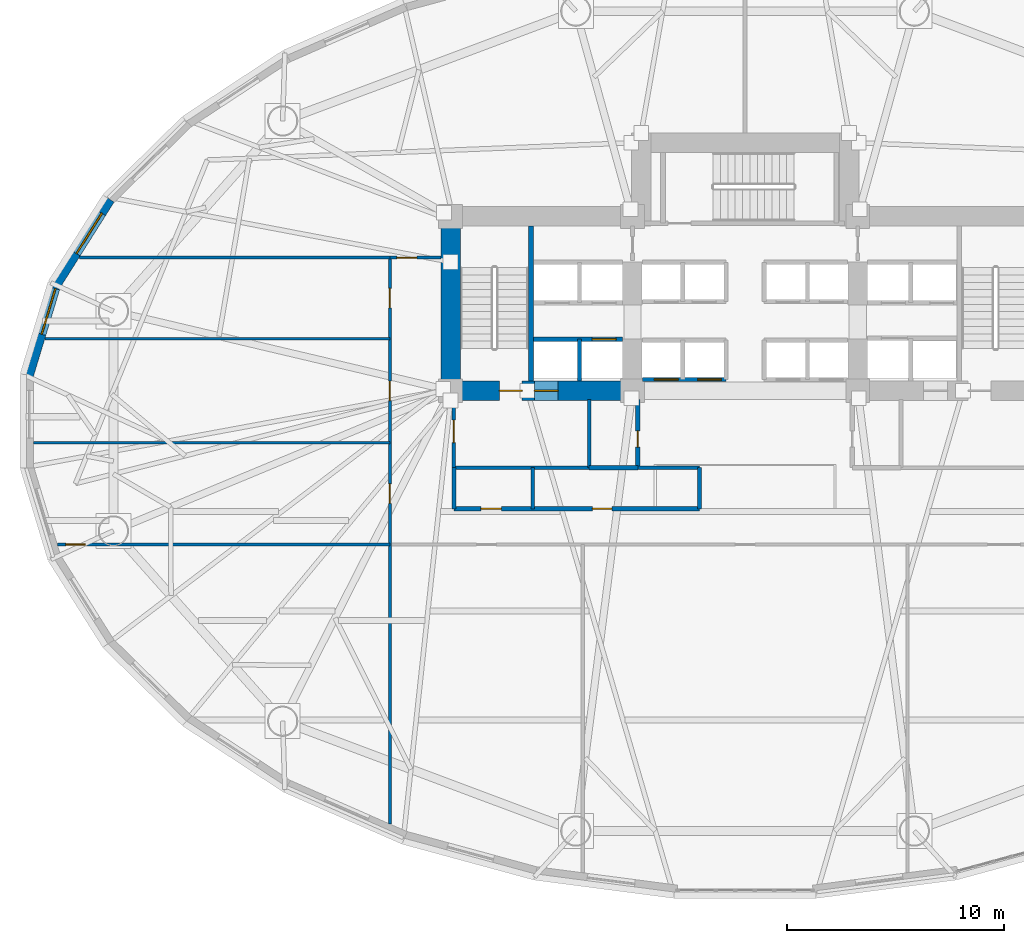
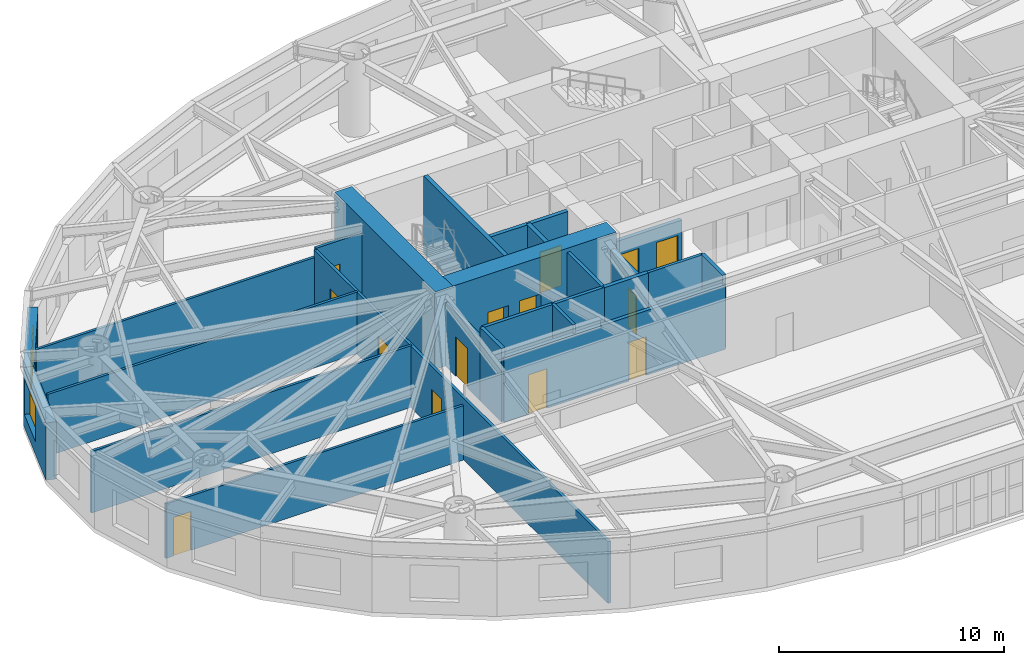
# One storey, part 9 of 18: 24 walls, 14 doors, 2 windows, 16 openings.
"""IFC4 building model written with IfcOpenShell, lengths in metres."""

from ifc_helpers import new_model, si_unit, direction, frame, frame_2d, origin, place, context, subcontext, project, spatial, rectangle, extrude, material, layer, layer_set, type_object, element, fill, save


model = new_model("IFC4")

# Units and contexts
model_context = context("Model", 3, precision=1e-05, world=origin(), true_north=direction((0.0, 1.0)))
body_context = subcontext(model_context, "Body", "Model", "MODEL_VIEW")
ifc_project = project(units=[si_unit("LENGTHUNIT", "METRE"), si_unit("AREAUNIT", "SQUARE_METRE"), si_unit("VOLUMEUNIT", "CUBIC_METRE"), si_unit("PLANEANGLEUNIT", "RADIAN"), si_unit("MASSUNIT", "GRAM", prefix="KILO")], contexts=[model_context])

# Site, building, storey
site_placement = place(None, origin())
site = spatial("IfcSite", under=ifc_project, at=site_placement, CompositionType="ELEMENT")
building_placement = place(site_placement, origin())
building = spatial("IfcBuilding", under=site, at=building_placement, Name="Keldmark Tower", CompositionType="ELEMENT")
storey_placement = place(building_placement, frame((0.0, 0.0, 6.0)))
storey = spatial("IfcBuildingStorey", under=building, at=storey_placement, Name="L01", CompositionType="ELEMENT", Elevation=6.0)

# Wall, openings, doors
ifc_material_1 = material(Name="Acoustic Double-Layer Gypsum Corridor Partition", Category="gypsum")
ifc_layer_1 = layer(ifc_material_1, 0.139892578125)
ifc_layer_set_1 = layer_set([ifc_layer_1], Name="Acoustic Double-Layer Gypsum Corridor Partition")
wall_type_1 = type_object("IfcWallType", Name="Acoustic Corridor Partition 140 mm", PredefinedType="PARTITIONING", material=ifc_layer_set_1)
wall_1_placement = place(storey_placement, frame((-16.39990234375, -18.6025390625, 0.0), z_axis=(0.0, 0.0, 1.0), x_axis=(0.0, 1.0, 0.0)))
wall_1 = element("IfcWall", 1, at=wall_1_placement, inside=storey, type_object=wall_type_1, Name="L01 Acoustic Corridor Partition 140 mm COR-W", PredefinedType="PARTITIONING", context=body_context, shape_type="SweptSolid", body=[
    extrude(rectangle(XDim=26.152587890625, YDim=0.139892578125, at=frame_2d((13.076171875, 0.0))), origin(), (0.0, 0.0, 1.0), 3.347900390625),
])
opening_1_placement = place(wall_1_placement, frame((14.80224609375, 0.0, 0.0)))
opening_1 = element("IfcOpeningElement", 2, at=opening_1_placement, cuts=wall_1, Name="Opening D-IN090", PredefinedType="OPENING", context=body_context, shape_type="SweptSolid", body=[
    extrude(rectangle(XDim=0.89990234375, YDim=2.10009765625, at=frame_2d((0.449951171875, 1.050048828125))), frame((0.0, 0.079833984375, 0.0), z_axis=(0.0, -1.0, 0.0), x_axis=(1.0, 0.0, 0.0)), (0.0, 0.0, 1.0), 0.159912109375),
])
opening_2_placement = place(wall_1_placement, frame((19.55224609375, 0.0, 0.0)))
opening_2 = element("IfcOpeningElement", 3, at=opening_2_placement, cuts=wall_1, Name="Opening D-IN090", PredefinedType="OPENING", context=body_context, shape_type="SweptSolid", body=[
    extrude(rectangle(XDim=0.89990234375, YDim=2.10009765625, at=frame_2d((0.449951171875, 1.050048828125))), frame((0.0, 0.079833984375, 0.0), z_axis=(0.0, -1.0, 0.0), x_axis=(1.0, 0.0, 0.0)), (0.0, 0.0, 1.0), 0.159912109375),
])
opening_3_placement = place(wall_1_placement, frame((23.827392578125, 0.0, 0.0)))
opening_3 = element("IfcOpeningElement", 4, at=opening_3_placement, cuts=wall_1, Name="Opening D-IN090", PredefinedType="OPENING", context=body_context, shape_type="SweptSolid", body=[
    extrude(rectangle(XDim=0.89990234375, YDim=2.10009765625, at=frame_2d((0.449951171875, 1.050048828125))), frame((0.0, 0.079833984375, 0.0), z_axis=(0.0, -1.0, 0.0), x_axis=(1.0, 0.0, 0.0)), (0.0, 0.0, 1.0), 0.159912109375),
])
ifc_material_2 = material(Name="Stained American White Oak Veneer", Category="wood")
door_type_1 = type_object("IfcDoorType", Name="Interior Door 900x2100", OperationType="NOTDEFINED", PredefinedType="DOOR", material=ifc_material_2)
door_1_placement = place(opening_1_placement, origin())
door_1 = element("IfcDoor", 5, at=door_1_placement, inside=storey, type_object=door_type_1, Name="L01 Interior Door 900x2100 D-WR-1-L01", OperationType="SINGLE_SWING_LEFT", OverallHeight=2.10009765625, OverallWidth=0.89990234375, PredefinedType="DOOR", context=body_context, shape_type="SweptSolid", body=[
    extrude(rectangle(XDim=0.89990234375, YDim=2.10009765625, at=frame_2d((0.449951171875, 1.050048828125))), frame((0.0, 0.02490234375, 0.0), z_axis=(0.0, -1.0, 0.0), x_axis=(1.0, 0.0, 0.0)), (0.0, 0.0, 1.0), 0.050048828125),
])
fill(opening_1, door_1)
door_2_placement = place(opening_2_placement, origin())
door_2 = element("IfcDoor", 6, at=door_2_placement, inside=storey, type_object=door_type_1, Name="L01 Interior Door 900x2100 D-WR-2-L01", OperationType="SINGLE_SWING_RIGHT", OverallHeight=2.10009765625, OverallWidth=0.89990234375, PredefinedType="DOOR", context=body_context, shape_type="SweptSolid", body=[
    extrude(rectangle(XDim=0.89990234375, YDim=2.10009765625, at=frame_2d((0.449951171875, 1.050048828125))), frame((0.0, 0.02490234375, 0.0), z_axis=(0.0, -1.0, 0.0), x_axis=(1.0, 0.0, 0.0)), (0.0, 0.0, 1.0), 0.050048828125),
])
fill(opening_2, door_2)
door_3_placement = place(opening_3_placement, origin())
door_3 = element("IfcDoor", 7, at=door_3_placement, inside=storey, type_object=door_type_1, Name="L01 Interior Door 900x2100 D-WR-3-L01", OperationType="SINGLE_SWING_LEFT", OverallHeight=2.10009765625, OverallWidth=0.89990234375, PredefinedType="DOOR", context=body_context, shape_type="SweptSolid", body=[
    extrude(rectangle(XDim=0.89990234375, YDim=2.10009765625, at=frame_2d((0.449951171875, 1.050048828125))), frame((0.0, 0.02490234375, 0.0), z_axis=(0.0, -1.0, 0.0), x_axis=(1.0, 0.0, 0.0)), (0.0, 0.0, 1.0), 0.050048828125),
])
fill(opening_3, door_3)

# Wall, opening, door
wall_2_placement = place(storey_placement, frame((-16.39990234375, 7.550048828125, 0.0), z_axis=(0.0, 0.0, 1.0), x_axis=(1.0, 0.0, 0.0)))
wall_2 = element("IfcWall", 8, at=wall_2_placement, inside=storey, type_object=wall_type_1, Name="L01 Acoustic Corridor Partition 140 mm COR-WN-CAP", PredefinedType="PARTITIONING", context=body_context, shape_type="SweptSolid", body=[
    extrude(rectangle(XDim=2.349853515625, YDim=0.139892578125, at=frame_2d((1.1748046875, 0.0))), origin(), (0.0, 0.0, 1.0), 3.43310546875),
])
opening_4_placement = place(wall_2_placement, frame((0.320068359375, 0.0, 0.0)))
opening_4 = element("IfcOpeningElement", 9, at=opening_4_placement, cuts=wall_2, Name="Opening D-EX092", PredefinedType="OPENING", context=body_context, shape_type="SweptSolid", body=[
    extrude(rectangle(XDim=0.919921875, YDim=2.14990234375, at=frame_2d((0.4599609375, 1.074951171875))), frame((0.0, 0.079833984375, 0.0), z_axis=(0.0, -1.0, 0.0), x_axis=(1.0, 0.0, 0.0)), (0.0, 0.0, 1.0), 0.159912109375),
])
ifc_material_3 = material(Name="Flush American Ash Executive Office Door", Category="wood")
door_type_2 = type_object("IfcDoorType", Name="Executive Office Door 920x2150", OperationType="NOTDEFINED", PredefinedType="DOOR", material=ifc_material_3)
door_4_placement = place(opening_4_placement, origin())
door_4 = element("IfcDoor", 10, at=door_4_placement, inside=storey, type_object=door_type_2, Name="L01 Executive Office Door 920x2150 D-NRNW-L01", OperationType="SINGLE_SWING_LEFT", OverallHeight=2.14990234375, OverallWidth=0.919921875, PredefinedType="DOOR", context=body_context, shape_type="SweptSolid", body=[
    extrude(rectangle(XDim=0.919921875, YDim=2.14990234375, at=frame_2d((0.4599609375, 1.074951171875))), frame((0.0, 0.02490234375, 0.0), z_axis=(0.0, -1.0, 0.0), x_axis=(1.0, 0.0, 0.0)), (0.0, 0.0, 1.0), 0.050048828125),
])
fill(opening_4, door_4)

# Wall, openings, doors
ifc_material_4 = material(Name="Heavy Acoustic Plumbing Chase Gypsum Assembly", Category="gypsum")
ifc_layer_2 = layer(ifc_material_4, 0.18994140625)
ifc_layer_set_2 = layer_set([ifc_layer_2], Name="Heavy Acoustic Plumbing Chase Gypsum Assembly")
wall_type_2 = type_object("IfcWallType", Name="Heavy Wet Wall 190 mm", PredefinedType="PLUMBINGWALL", material=ifc_layer_set_2)
wall_3_placement = place(storey_placement, frame((-13.449951171875, -4.050048828125, 0.0), z_axis=(0.0, 0.0, 1.0), x_axis=(1.0, 0.0, 0.0)))
wall_3 = element("IfcWall", 11, at=wall_3_placement, inside=storey, type_object=wall_type_2, Name="L01 Heavy Wet Wall 190 mm SPK-W-S", PredefinedType="PLUMBINGWALL", context=body_context, shape_type="SweptSolid", body=[
    extrude(rectangle(XDim=11.349853515625, YDim=0.18994140625, at=frame_2d((5.6748046875, 0.0))), origin(), (0.0, 0.0, 1.0), 3.507080078125),
])
opening_5_placement = place(wall_3_placement, frame((1.25, 0.0, 0.0)))
opening_5 = element("IfcOpeningElement", 12, at=opening_5_placement, cuts=wall_3, Name="Opening D-AWC95", PredefinedType="OPENING", context=body_context, shape_type="SweptSolid", body=[
    extrude(rectangle(XDim=0.949951171875, YDim=2.14990234375, at=frame_2d((0.47509765625, 1.074951171875))), frame((0.0, 0.10498046875, 0.0), z_axis=(0.0, -1.0, 0.0), x_axis=(1.0, 0.0, 0.0)), (0.0, 0.0, 1.0), 0.2099609375),
])
opening_6_placement = place(wall_3_placement, frame((6.39990234375, 0.0, 0.0)))
opening_6 = element("IfcOpeningElement", 13, at=opening_6_placement, cuts=wall_3, Name="Opening D-IN090", PredefinedType="OPENING", context=body_context, shape_type="SweptSolid", body=[
    extrude(rectangle(XDim=0.89990234375, YDim=2.10009765625, at=frame_2d((0.449951171875, 1.050048828125))), frame((0.0, 0.10498046875, 0.0), z_axis=(0.0, -1.0, 0.0), x_axis=(1.0, 0.0, 0.0)), (0.0, 0.0, 1.0), 0.2099609375),
])
ifc_material_5 = material(Name="Painted Solid-Core Architectural Wood", Category="wood")
door_type_3 = type_object("IfcDoorType", Name="Accessible WC Door 950x2150", OperationType="NOTDEFINED", PredefinedType="DOOR", material=ifc_material_5)
door_5_placement = place(opening_5_placement, origin())
door_5 = element("IfcDoor", 14, at=door_5_placement, inside=storey, type_object=door_type_3, Name="L01 Accessible WC Door 950x2150 D-SPKW1-L01", OperationType="SINGLE_SWING_LEFT", OverallHeight=2.14990234375, OverallWidth=0.949951171875, PredefinedType="DOOR", context=body_context, shape_type="SweptSolid", body=[
    extrude(rectangle(XDim=0.949951171875, YDim=2.14990234375, at=frame_2d((0.47509765625, 1.074951171875))), frame((0.0, 0.02490234375, 0.0), z_axis=(0.0, -1.0, 0.0), x_axis=(1.0, 0.0, 0.0)), (0.0, 0.0, 1.0), 0.050048828125),
])
fill(opening_5, door_5)
door_6_placement = place(opening_6_placement, origin())
door_6 = element("IfcDoor", 15, at=door_6_placement, inside=storey, type_object=door_type_1, Name="L01 Interior Door 900x2100 D-SPKW2-L01", OperationType="SINGLE_SWING_RIGHT", OverallHeight=2.10009765625, OverallWidth=0.89990234375, PredefinedType="DOOR", context=body_context, shape_type="SweptSolid", body=[
    extrude(rectangle(XDim=0.89990234375, YDim=2.10009765625, at=frame_2d((0.449951171875, 1.050048828125))), frame((0.0, 0.02490234375, 0.0), z_axis=(0.0, -1.0, 0.0), x_axis=(1.0, 0.0, 0.0)), (0.0, 0.0, 1.0), 0.050048828125),
])
fill(opening_6, door_6)

# Walls
for number, where, z_axis, x_axis, name in (
    (16, (-13.449951171875, -4.050048828125, 0.0), (0.0, 0.0, 1.0), (0.0, 1.0, 0.0), "L01 Heavy Wet Wall 190 mm SPK-W-W"),
    (17, (-2.10009765625, -4.050048828125, 0.0), (0.0, 0.0, 1.0), (0.0, 1.0, 0.0), "L01 Heavy Wet Wall 190 mm SPK-W-E"),
):
    element("IfcWall", number, at=place(storey_placement, frame(where, z_axis=z_axis, x_axis=x_axis)), inside=storey, type_object=wall_type_2, Name=name, PredefinedType="PLUMBINGWALL", context=body_context, shape_type="SweptSolid", body=[
        extrude(rectangle(XDim=1.900146484375, YDim=0.18994140625, at=frame_2d((0.9501953125, 0.0))), origin(), (0.0, 0.0, 1.0), 3.97998046875),
    ])
ifc_material_6 = material(Name="Acoustic Gypsum Board Interior Partition", Category="gypsum")
ifc_layer_3 = layer(ifc_material_6, 0.1298828125)
ifc_layer_set_3 = layer_set([ifc_layer_3], Name="Acoustic Gypsum Board Interior Partition")
wall_type_3 = type_object("IfcWallType", Name="Interior Partition 130 mm", PredefinedType="PARTITIONING", material=ifc_layer_set_3)
wall_4_placement = place(storey_placement, frame((-30.74658203125, 7.550048828125, 0.0), z_axis=(0.0, 0.0, 1.0), x_axis=(1.0, 0.0, 0.0)))
element("IfcWall", 18, at=wall_4_placement, inside=storey, type_object=wall_type_3, Name="L01 Interior Partition 130 mm W-CAP-N", PredefinedType="PARTITIONING", context=body_context, shape_type="SweptSolid", body=[
    extrude(rectangle(XDim=14.3466796875, YDim=0.1298828125, at=frame_2d((7.17333984375, 0.0))), origin(), (0.0, 0.0, 1.0), 2.9580078125),
])

# Wall, opening, door
wall_5_placement = place(storey_placement, frame((-31.755615234375, -5.699951171875, 0.0), z_axis=(0.0, 0.0, 1.0), x_axis=(1.0, 0.0, 0.0)))
wall_5 = element("IfcWall", 19, at=wall_5_placement, inside=storey, type_object=wall_type_3, Name="L01 Interior Partition 130 mm W-CAP-S", PredefinedType="PARTITIONING", context=body_context, shape_type="SweptSolid", body=[
    extrude(rectangle(XDim=15.355712890625, YDim=0.1298828125, at=frame_2d((7.677734375, 0.0))), origin(), (0.0, 0.0, 1.0), 2.9580078125),
])
opening_7_placement = place(wall_5_placement, frame((0.389892578125, 0.0, 0.0)))
opening_7 = element("IfcOpeningElement", 20, at=opening_7_placement, cuts=wall_5, Name="Opening D-IN090", PredefinedType="OPENING", context=body_context, shape_type="SweptSolid", body=[
    extrude(rectangle(XDim=0.89990234375, YDim=2.10009765625, at=frame_2d((0.449951171875, 1.050048828125))), frame((0.0, 0.074951171875, 0.0), z_axis=(0.0, -1.0, 0.0), x_axis=(1.0, 0.0, 0.0)), (0.0, 0.0, 1.0), 0.14990234375),
])
door_7_placement = place(opening_7_placement, origin())
door_7 = element("IfcDoor", 21, at=door_7_placement, inside=storey, type_object=door_type_1, Name="L01 Interior Door 900x2100 D-WRSW-L01", OperationType="SINGLE_SWING_LEFT", OverallHeight=2.10009765625, OverallWidth=0.89990234375, PredefinedType="DOOR", context=body_context, shape_type="SweptSolid", body=[
    extrude(rectangle(XDim=0.89990234375, YDim=2.10009765625, at=frame_2d((0.449951171875, 1.050048828125))), frame((0.0, 0.02490234375, 0.0), z_axis=(0.0, -1.0, 0.0), x_axis=(1.0, 0.0, 0.0)), (0.0, 0.0, 1.0), 0.050048828125),
])
fill(opening_7, door_7)

# Walls
wall_6_placement = place(storey_placement, frame((-32.8505859375, -1.0, 0.0), z_axis=(0.0, 0.0, 1.0), x_axis=(1.0, 0.0, 0.0)))
element("IfcWall", 22, at=wall_6_placement, inside=storey, type_object=wall_type_3, Name="L01 Interior Partition 130 mm W-DIV-1", PredefinedType="PARTITIONING", context=body_context, shape_type="SweptSolid", body=[
    extrude(rectangle(XDim=16.45068359375, YDim=0.1298828125, at=frame_2d((8.225341796875, 0.0))), origin(), (0.0, 0.0, 1.0), 3.347900390625),
])
wall_7_placement = place(storey_placement, frame((-32.3310546875, 3.800048828125, 0.0), z_axis=(0.0, 0.0, 1.0), x_axis=(1.0, 0.0, 0.0)))
element("IfcWall", 23, at=wall_7_placement, inside=storey, type_object=wall_type_3, Name="L01 Interior Partition 130 mm W-DIV-2", PredefinedType="PARTITIONING", context=body_context, shape_type="SweptSolid", body=[
    extrude(rectangle(XDim=15.93115234375, YDim=0.1298828125, at=frame_2d((7.965576171875, 0.0))), origin(), (0.0, 0.0, 1.0), 3.347900390625),
])
ifc_material_7 = material(Name="Concrete C70/85", Category="concrete")
ifc_layer_4 = layer(ifc_material_7, 0.89990234375)
ifc_layer_set_4 = layer_set([ifc_layer_4], Name="Concrete C70/85")
wall_type_4 = type_object("IfcWallType", Name="Lower Core Shear Wall 900 mm", PredefinedType="SHEAR", material=ifc_layer_set_4)
wall_8_placement = place(storey_placement, frame((-13.60009765625, 0.949951171875, 0.0), z_axis=(0.0, 0.0, 1.0), x_axis=(0.0, 1.0, 0.0)))
element("IfcWall", 24, at=wall_8_placement, inside=storey, type_object=wall_type_4, Name="L01 West Core Outer Shear Wall", PredefinedType="SHEAR", context=body_context, shape_type="SweptSolid", body=[
    extrude(rectangle(XDim=8.949951171875, YDim=0.89990234375, at=frame_2d((4.47509765625, 0.0))), origin(), (0.0, 0.0, 1.0), 4.199951171875),
])

# Wall, openings, doors
wall_9_placement = place(storey_placement, frame((-4.75, 1.39990234375, 0.0), z_axis=(0.0, 0.0, 1.0), x_axis=(-1.0, 0.0, 0.0)))
wall_9 = element("IfcWall", 25, at=wall_9_placement, inside=storey, type_object=wall_type_4, Name="L01 West Core South Shear Wall", PredefinedType="SHEAR", context=body_context, shape_type="SweptSolid", body=[
    extrude(rectangle(XDim=9.300048828125, YDim=0.89990234375, at=frame_2d((4.64990234375, 0.0))), origin(), (0.0, 0.0, 1.0), 4.199951171875),
])
opening_8_placement = place(wall_9_placement, frame((5.550048828125, 0.0, 0.0)))
opening_8 = element("IfcOpeningElement", 26, at=opening_8_placement, cuts=wall_9, Name="Opening D-ST105", PredefinedType="OPENING", context=body_context, shape_type="SweptSolid", body=[
    extrude(rectangle(XDim=1.050048828125, YDim=2.14990234375, at=frame_2d((0.52490234375, 1.074951171875))), frame((0.0, 0.4599609375, 0.0), z_axis=(0.0, -1.0, 0.0), x_axis=(1.0, 0.0, 0.0)), (0.0, 0.0, 1.0), 0.919921875),
])
opening_9_placement = place(wall_9_placement, frame((3.8798828125, 0.0, 0.0)))
opening_9 = element("IfcOpeningElement", 27, at=opening_9_placement, cuts=wall_9, Name="Opening LD-110", PredefinedType="OPENING", context=body_context, shape_type="SweptSolid", body=[
    extrude(rectangle(XDim=1.10009765625, YDim=2.199951171875, at=frame_2d((0.550048828125, 1.10009765625))), frame((0.0, 0.4599609375, 0.0), z_axis=(0.0, -1.0, 0.0), x_axis=(1.0, 0.0, 0.0)), (0.0, 0.0, 1.0), 0.919921875),
])
ifc_material_8 = material(Name="Brushed Bronze Hoistway Sliding Leaf", Category="metal")
door_type_4 = type_object("IfcDoorType", Name="Lift Landing Sliding Door 1100x2200", OperationType="SLIDING_TO_LEFT", PredefinedType="DOOR", material=ifc_material_8)
door_8_placement = place(opening_9_placement, origin())
door_8 = element("IfcDoor", 28, at=door_8_placement, inside=storey, type_object=door_type_4, Name="L01 Lift Landing Sliding Door 1100x2200 LD-EL-FS1-L01", OperationType="SLIDING_TO_LEFT", OverallHeight=2.199951171875, OverallWidth=1.10009765625, PredefinedType="DOOR", context=body_context, shape_type="SweptSolid", body=[
    extrude(rectangle(XDim=1.10009765625, YDim=2.199951171875, at=frame_2d((0.550048828125, 1.10009765625))), frame((0.0, 0.02490234375, 0.0), z_axis=(0.0, -1.0, 0.0), x_axis=(1.0, 0.0, 0.0)), (0.0, 0.0, 1.0), 0.050048828125),
])
fill(opening_9, door_8)
ifc_material_9 = material(Name="Hollow Metal Fire-Rated Door Assembly", Category="metal")
door_type_5 = type_object("IfcDoorType", Name="Stair Fire Door 1050x2150", OperationType="NOTDEFINED", PredefinedType="DOOR", material=ifc_material_9)
door_9_placement = place(opening_8_placement, origin())
door_9 = element("IfcDoor", 29, at=door_9_placement, inside=storey, type_object=door_type_5, Name="L01 Stair Fire Door 1050x2150 D-ST1-L01", OperationType="SINGLE_SWING_RIGHT", OverallHeight=2.14990234375, OverallWidth=1.050048828125, PredefinedType="DOOR", context=body_context, shape_type="SweptSolid", body=[
    extrude(rectangle(XDim=1.050048828125, YDim=2.14990234375, at=frame_2d((0.52490234375, 1.074951171875))), frame((0.0, 0.02490234375, 0.0), z_axis=(0.0, -1.0, 0.0), x_axis=(1.0, 0.0, 0.0)), (0.0, 0.0, 1.0), 0.050048828125),
])
fill(opening_8, door_9)

# Wall, opening, window
ifc_material_10 = material(Name="Ironspot Manganese Brick and Kasota Buff Limestone Cavity Assembly", Category="masonry")
ifc_layer_5 = layer(ifc_material_10, 0.47998046875)
ifc_layer_set_5 = layer_set([ifc_layer_5], Name="Ironspot Manganese Brick and Kasota Buff Limestone Cavity Assembly")
wall_type_5 = type_object("IfcWallType", Name="Podium Brick and Limestone Cavity Wall 480 mm", PredefinedType="STANDARD", material=ifc_layer_set_5)
wall_10_placement = place(storey_placement, frame((-31.8544921875, 6.25830078125, 0.0), z_axis=(0.0, 0.0, 1.0), x_axis=(0.53349762721, 0.845801561693, 0.0)))
wall_10 = element("IfcWall", 30, at=wall_10_placement, inside=storey, type_object=wall_type_5, Name="L01 Exterior Brick and Spandrel Wall 14", PredefinedType="STANDARD", context=body_context, shape_type="SweptSolid", body=[
    extrude(rectangle(XDim=4.710693359375, YDim=0.47998046875, at=frame_2d((2.35546875, 0.0))), origin(), (0.0, 0.0, 1.0), 3.10888671875),
])
opening_10_placement = place(wall_10_placement, frame((1.770751953125, 0.0, 0.699951171875)))
opening_10 = element("IfcOpeningElement", 31, at=opening_10_placement, cuts=wall_10, Name="Opening W-01", PredefinedType="OPENING", context=body_context, shape_type="SweptSolid", body=[
    extrude(rectangle(XDim=2.199951171875, YDim=1.949951171875, at=frame_2d((1.10009765625, 0.97509765625))), frame((0.0, 0.25, 0.0), z_axis=(0.0, -1.0, 0.0), x_axis=(1.0, 0.0, 0.0)), (0.0, 0.0, 1.0), 0.5),
])
ifc_material_11 = material(Name="Thermally Broken Anodized Aluminum and Triple Low-E Argon Glazing", Category="aluminium")
window_type = type_object("IfcWindowType", Name="Podium Arched-Head Punched Window 2200x1950", PartitioningType="SINGLE_PANEL", PredefinedType="WINDOW", material=ifc_material_11)
window_1_placement = place(opening_10_placement, origin())
window_1 = element("IfcWindow", 32, at=window_1_placement, inside=storey, type_object=window_type, Name="L01 Deep-Set Window 14", OverallHeight=1.949951171875, OverallWidth=2.199951171875, PartitioningType="SINGLE_PANEL", PredefinedType="WINDOW", context=body_context, shape_type="SweptSolid", body=[
    extrude(rectangle(XDim=2.199951171875, YDim=1.949951171875, at=frame_2d((1.10009765625, 0.97509765625))), frame((0.0, -0.010009765625, 0.0), z_axis=(0.0, -1.0, 0.0), x_axis=(1.0, 0.0, 0.0)), (0.0, 0.0, 1.0), 0.06005859375),
])
fill(opening_10, window_1)

wall_11_placement = place(storey_placement, frame((-33.10888671875, 2.0869140625, 0.0), z_axis=(0.0, 0.0, 1.0), x_axis=(0.289855603468, 0.957070388811, 0.0)))
wall_11 = element("IfcWall", 33, at=wall_11_placement, inside=storey, type_object=wall_type_5, Name="L01 Exterior Brick and Spandrel Wall 15", PredefinedType="STANDARD", context=body_context, shape_type="SweptSolid", body=[
    extrude(rectangle(XDim=4.41943359375, YDim=0.47998046875, at=frame_2d((2.209716796875, 0.0))), origin(), (0.0, 0.0, 1.0), 3.10888671875),
])
opening_11_placement = place(wall_11_placement, frame((2.019775390625, 0.0, 0.699951171875)))
opening_11 = element("IfcOpeningElement", 34, at=opening_11_placement, cuts=wall_11, Name="Opening W-01", PredefinedType="OPENING", context=body_context, shape_type="SweptSolid", body=[
    extrude(rectangle(XDim=2.199951171875, YDim=1.949951171875, at=frame_2d((1.10009765625, 0.97509765625))), frame((0.0, 0.25, 0.0), z_axis=(0.0, -1.0, 0.0), x_axis=(1.0, 0.0, 0.0)), (0.0, 0.0, 1.0), 0.5),
])
window_2_placement = place(opening_11_placement, origin())
window_2 = element("IfcWindow", 35, at=window_2_placement, inside=storey, type_object=window_type, Name="L01 Deep-Set Window 15", OverallHeight=1.949951171875, OverallWidth=2.199951171875, PartitioningType="SINGLE_PANEL", PredefinedType="WINDOW", context=body_context, shape_type="SweptSolid", body=[
    extrude(rectangle(XDim=2.199951171875, YDim=1.949951171875, at=frame_2d((1.10009765625, 0.97509765625))), frame((0.0, -0.010009765625, 0.0), z_axis=(0.0, -1.0, 0.0), x_axis=(1.0, 0.0, 0.0)), (0.0, 0.0, 1.0), 0.06005859375),
])
fill(opening_11, window_2)

# Wall
ifc_material_12 = material(Name="Type X Fire-Rated Gypsum Partition Assembly", Category="gypsum")
ifc_layer_6 = layer(ifc_material_12, 0.1650390625)
ifc_layer_set_6 = layer_set([ifc_layer_6], Name="Type X Fire-Rated Gypsum Partition Assembly")
wall_type_6 = type_object("IfcWallType", Name="Rated Partition 165 mm", PredefinedType="PARTITIONING", material=ifc_layer_set_6)
wall_12_placement = place(storey_placement, frame((-13.449951171875, -2.14990234375, 0.0), z_axis=(0.0, 0.0, 1.0), x_axis=(1.0, 0.0, 0.0)))
element("IfcWall", 36, at=wall_12_placement, inside=storey, type_object=wall_type_6, Name="L01 Rated Partition 165 mm FSAE-W-S", PredefinedType="PARTITIONING", context=body_context, shape_type="SweptSolid", body=[
    extrude(rectangle(XDim=6.25, YDim=0.1650390625, at=frame_2d((3.125, 0.0))), origin(), (0.0, 0.0, 1.0), 3.97998046875),
])

# Wall, opening, door
wall_13_placement = place(storey_placement, frame((-13.449951171875, -2.14990234375, 0.0), z_axis=(0.0, 0.0, 1.0), x_axis=(0.0, 1.0, 0.0)))
wall_13 = element("IfcWall", 37, at=wall_13_placement, inside=storey, type_object=wall_type_6, Name="L01 Rated Partition 165 mm FSAE-W-W", PredefinedType="PARTITIONING", context=body_context, shape_type="SweptSolid", body=[
    extrude(rectangle(XDim=3.14990234375, YDim=0.1650390625, at=frame_2d((1.574951171875, 0.0))), origin(), (0.0, 0.0, 1.0), 3.43310546875),
])
opening_12_placement = place(wall_13_placement, frame((1.14990234375, 0.0, 0.0)))
opening_12 = element("IfcOpeningElement", 38, at=opening_12_placement, cuts=wall_13, Name="Opening D-FL105", PredefinedType="OPENING", context=body_context, shape_type="SweptSolid", body=[
    extrude(rectangle(XDim=1.050048828125, YDim=2.14990234375, at=frame_2d((0.52490234375, 1.074951171875))), frame((0.0, 0.092529296875, 0.0), z_axis=(0.0, -1.0, 0.0), x_axis=(1.0, 0.0, 0.0)), (0.0, 0.0, 1.0), 0.18505859375),
])
ifc_material_13 = material(Name="Fire-Rated Mineral-Core Door and Vision Lite", Category="metal")
door_type_6 = type_object("IfcDoorType", Name="Fire Lobby Door 1050x2150", OperationType="NOTDEFINED", PredefinedType="DOOR", material=ifc_material_13)
door_10_placement = place(opening_12_placement, origin())
door_10 = element("IfcDoor", 39, at=door_10_placement, inside=storey, type_object=door_type_6, Name="L01 Fire Lobby Door 1050x2150 D-FSAEW-OUT-L01", OperationType="SINGLE_SWING_LEFT", OverallHeight=2.14990234375, OverallWidth=1.050048828125, PredefinedType="DOOR", context=body_context, shape_type="SweptSolid", body=[
    extrude(rectangle(XDim=1.050048828125, YDim=2.14990234375, at=frame_2d((0.52490234375, 1.074951171875))), frame((0.0, 0.02490234375, 0.0), z_axis=(0.0, -1.0, 0.0), x_axis=(1.0, 0.0, 0.0)), (0.0, 0.0, 1.0), 0.050048828125),
])
fill(opening_12, door_10)

# Walls
wall_14_placement = place(storey_placement, frame((-7.199951171875, -2.14990234375, 0.0), z_axis=(0.0, 0.0, 1.0), x_axis=(0.0, 1.0, 0.0)))
element("IfcWall", 40, at=wall_14_placement, inside=storey, type_object=wall_type_6, Name="L01 Rated Partition 165 mm FSAE-W-E", PredefinedType="PARTITIONING", context=body_context, shape_type="SweptSolid", body=[
    extrude(rectangle(XDim=3.14990234375, YDim=0.1650390625, at=frame_2d((1.574951171875, 0.0))), origin(), (0.0, 0.0, 1.0), 3.97998046875),
])
ifc_material_14 = material(Name="Fire-Resistant Type X Gypsum Shaftliner Coreboard", Category="gypsum")
ifc_layer_7 = layer(ifc_material_14, 0.199951171875)
ifc_layer_set_7 = layer_set([ifc_layer_7], Name="Fire-Resistant Type X Gypsum Shaftliner Coreboard")
wall_type_7 = type_object("IfcWallType", Name="Shaft Wall 200 mm", PredefinedType="SOLIDWALL", material=ifc_layer_set_7)
wall_15_placement = place(storey_placement, frame((-7.199951171875, -2.14990234375, 0.0), z_axis=(0.0, 0.0, 1.0), x_axis=(1.0, 0.0, 0.0)))
element("IfcWall", 41, at=wall_15_placement, inside=storey, type_object=wall_type_7, Name="L01 Shaft Wall 200 mm RIS-SW-S", PredefinedType="SOLIDWALL", context=body_context, shape_type="SweptSolid", body=[
    extrude(rectangle(XDim=2.25, YDim=0.199951171875, at=frame_2d((1.125, 0.0))), origin(), (0.0, 0.0, 1.0), 3.97998046875),
])

# Wall, opening, door
wall_16_placement = place(storey_placement, frame((-4.949951171875, -2.14990234375, 0.0), z_axis=(0.0, 0.0, 1.0), x_axis=(0.0, 1.0, 0.0)))
wall_16 = element("IfcWall", 42, at=wall_16_placement, inside=storey, type_object=wall_type_7, Name="L01 Shaft Wall 200 mm RIS-SW-E", PredefinedType="SOLIDWALL", context=body_context, shape_type="SweptSolid", body=[
    extrude(rectangle(XDim=3.14990234375, YDim=0.199951171875, at=frame_2d((1.574951171875, 0.0))), origin(), (0.0, 0.0, 1.0), 3.347900390625),
])
opening_13_placement = place(wall_16_placement, frame((0.949951171875, 0.0, 0.0)))
opening_13 = element("IfcOpeningElement", 43, at=opening_13_placement, cuts=wall_16, Name="Opening D-RS075", PredefinedType="OPENING", context=body_context, shape_type="SweptSolid", body=[
    extrude(rectangle(XDim=0.75, YDim=2.10009765625, at=frame_2d((0.375, 1.050048828125))), frame((0.0, 0.10986328125, 0.0), z_axis=(0.0, -1.0, 0.0), x_axis=(1.0, 0.0, 0.0)), (0.0, 0.0, 1.0), 0.219970703125),
])
ifc_material_15 = material(Name="Galvanized Fire-Rated Access Leaf", Category="metal")
door_type_7 = type_object("IfcDoorType", Name="Riser Access Door 750x2100", OperationType="NOTDEFINED", PredefinedType="DOOR", material=ifc_material_15)
door_11_placement = place(opening_13_placement, origin())
door_11 = element("IfcDoor", 44, at=door_11_placement, inside=storey, type_object=door_type_7, Name="L01 Riser Access Door 750x2100 D-RISSW-L01", OperationType="SINGLE_SWING_RIGHT", OverallHeight=2.10009765625, OverallWidth=0.75, PredefinedType="DOOR", context=body_context, shape_type="SweptSolid", body=[
    extrude(rectangle(XDim=0.75, YDim=2.10009765625, at=frame_2d((0.375, 1.050048828125))), frame((0.0, 0.02490234375, 0.0), z_axis=(0.0, -1.0, 0.0), x_axis=(1.0, 0.0, 0.0)), (0.0, 0.0, 1.0), 0.050048828125),
])
fill(opening_13, door_11)

wall_17_placement = place(storey_placement, frame((-9.780029296875, 3.780029296875, 0.0), z_axis=(0.0, 0.0, 1.0), x_axis=(1.0, 0.0, 0.0)))
wall_17 = element("IfcWall", 45, at=wall_17_placement, inside=storey, type_object=wall_type_7, Name="L01 Shaft Wall 200 mm HW-W-S", PredefinedType="SOLIDWALL", context=body_context, shape_type="SweptSolid", body=[
    extrude(rectangle(XDim=4.130126953125, YDim=0.199951171875, at=frame_2d((2.06494140625, 0.0))), origin(), (0.0, 0.0, 1.0), 3.97998046875),
])
opening_14_placement = place(wall_17_placement, frame((2.719970703125, 0.0, 0.0)))
opening_14 = element("IfcOpeningElement", 46, at=opening_14_placement, cuts=wall_17, Name="Opening LD-110", PredefinedType="OPENING", context=body_context, shape_type="SweptSolid", body=[
    extrude(rectangle(XDim=1.10009765625, YDim=2.199951171875, at=frame_2d((0.550048828125, 1.10009765625))), frame((0.0, 0.10986328125, 0.0), z_axis=(0.0, -1.0, 0.0), x_axis=(1.0, 0.0, 0.0)), (0.0, 0.0, 1.0), 0.219970703125),
])
door_12_placement = place(opening_14_placement, origin())
door_12 = element("IfcDoor", 47, at=door_12_placement, inside=storey, type_object=door_type_4, Name="L01 Lift Landing Sliding Door 1100x2200 LD-EL-H3-L01", OperationType="SLIDING_TO_LEFT", OverallHeight=2.199951171875, OverallWidth=1.10009765625, PredefinedType="DOOR", context=body_context, shape_type="SweptSolid", body=[
    extrude(rectangle(XDim=1.10009765625, YDim=2.199951171875, at=frame_2d((0.550048828125, 1.10009765625))), frame((0.0, 0.02490234375, 0.0), z_axis=(0.0, -1.0, 0.0), x_axis=(1.0, 0.0, 0.0)), (0.0, 0.0, 1.0), 0.050048828125),
])
fill(opening_14, door_12)

# Wall
wall_18_placement = place(storey_placement, frame((-7.64990234375, 1.85009765625, 0.0), z_axis=(0.0, 0.0, 1.0), x_axis=(0.0, 1.0, 0.0)))
element("IfcWall", 48, at=wall_18_placement, inside=storey, type_object=wall_type_7, Name="L01 Shaft Wall 200 mm HW-W-M", PredefinedType="SOLIDWALL", context=body_context, shape_type="SweptSolid", body=[
    extrude(rectangle(XDim=1.929931640625, YDim=0.199951171875, at=frame_2d((0.96484375, 0.0))), origin(), (0.0, 0.0, 1.0), 3.97998046875),
])

# Wall, openings, doors
wall_19_placement = place(storey_placement, frame((-4.739990234375, 1.919921875, 0.0), z_axis=(0.0, 0.0, 1.0), x_axis=(1.0, 0.0, 0.0)))
wall_19 = element("IfcWall", 49, at=wall_19_placement, inside=storey, type_object=wall_type_7, Name="L01 Shaft Wall 200 mm LOW-S-W", PredefinedType="SOLIDWALL", context=body_context, shape_type="SweptSolid", body=[
    extrude(rectangle(XDim=3.860107421875, YDim=0.199951171875, at=frame_2d((1.93017578125, 0.0))), origin(), (0.0, 0.0, 1.0), 2.969970703125),
])
opening_15_placement = place(wall_19_placement, frame((0.550048828125, 0.0, 0.0)))
opening_15 = element("IfcOpeningElement", 50, at=opening_15_placement, cuts=wall_19, Name="Opening LD-110", PredefinedType="OPENING", context=body_context, shape_type="SweptSolid", body=[
    extrude(rectangle(XDim=1.10009765625, YDim=2.199951171875, at=frame_2d((0.550048828125, 1.10009765625))), frame((0.0, 0.10986328125, 0.0), z_axis=(0.0, -1.0, 0.0), x_axis=(1.0, 0.0, 0.0)), (0.0, 0.0, 1.0), 0.219970703125),
])
opening_16_placement = place(wall_19_placement, frame((2.550048828125, 0.0, 0.0)))
opening_16 = element("IfcOpeningElement", 51, at=opening_16_placement, cuts=wall_19, Name="Opening LD-110", PredefinedType="OPENING", context=body_context, shape_type="SweptSolid", body=[
    extrude(rectangle(XDim=1.10009765625, YDim=2.199951171875, at=frame_2d((0.550048828125, 1.10009765625))), frame((0.0, 0.10986328125, 0.0), z_axis=(0.0, -1.0, 0.0), x_axis=(1.0, 0.0, 0.0)), (0.0, 0.0, 1.0), 0.219970703125),
])
door_13_placement = place(opening_15_placement, origin())
door_13 = element("IfcDoor", 52, at=door_13_placement, inside=storey, type_object=door_type_4, Name="L01 Lift Landing Sliding Door 1100x2200 LD-EL-L1-L01", OperationType="SLIDING_TO_LEFT", OverallHeight=2.199951171875, OverallWidth=1.10009765625, PredefinedType="DOOR", context=body_context, shape_type="SweptSolid", body=[
    extrude(rectangle(XDim=1.10009765625, YDim=2.199951171875, at=frame_2d((0.550048828125, 1.10009765625))), frame((0.0, 0.02490234375, 0.0), z_axis=(0.0, -1.0, 0.0), x_axis=(1.0, 0.0, 0.0)), (0.0, 0.0, 1.0), 0.050048828125),
])
fill(opening_15, door_13)
door_14_placement = place(opening_16_placement, origin())
door_14 = element("IfcDoor", 53, at=door_14_placement, inside=storey, type_object=door_type_4, Name="L01 Lift Landing Sliding Door 1100x2200 LD-EL-L2-L01", OperationType="SLIDING_TO_LEFT", OverallHeight=2.199951171875, OverallWidth=1.10009765625, PredefinedType="DOOR", context=body_context, shape_type="SweptSolid", body=[
    extrude(rectangle(XDim=1.10009765625, YDim=2.199951171875, at=frame_2d((0.550048828125, 1.10009765625))), frame((0.0, 0.02490234375, 0.0), z_axis=(0.0, -1.0, 0.0), x_axis=(1.0, 0.0, 0.0)), (0.0, 0.0, 1.0), 0.050048828125),
])
fill(opening_16, door_14)

# Walls
ifc_material_16 = material(Name="Concrete C50/60", Category="concrete")
ifc_layer_8 = layer(ifc_material_16, 0.219970703125)
ifc_layer_set_8 = layer_set([ifc_layer_8], Name="Concrete C50/60")
wall_type_8 = type_object("IfcWallType", Name="Stair Core Shear Wall 220 mm", PredefinedType="SHEAR", material=ifc_layer_set_8)
wall_20_placement = place(storey_placement, frame((-9.889892578125, 1.85009765625, 0.0), z_axis=(0.0, 0.0, 1.0), x_axis=(0.0, 1.0, 0.0)))
element("IfcWall", 54, at=wall_20_placement, inside=storey, type_object=wall_type_8, Name="L01 West Stair Core Shear Wall", PredefinedType="SHEAR", context=body_context, shape_type="SweptSolid", body=[
    extrude(rectangle(XDim=7.14990234375, YDim=0.219970703125, at=frame_2d((3.574951171875, 0.0))), origin(), (0.0, 0.0, 1.0), 4.199951171875),
])
ifc_material_17 = material(Name="Moisture-Resistant Gypsum Plumbing Partition", Category="gypsum")
ifc_layer_9 = layer(ifc_material_17, 0.14990234375)
ifc_layer_set_9 = layer_set([ifc_layer_9], Name="Moisture-Resistant Gypsum Plumbing Partition")
wall_type_9 = type_object("IfcWallType", Name="Wet Wall 150 mm", PredefinedType="PLUMBINGWALL", material=ifc_layer_set_9)
wall_21_placement = place(storey_placement, frame((-4.949951171875, -2.14990234375, 0.0), z_axis=(0.0, 0.0, 1.0), x_axis=(1.0, 0.0, 0.0)))
element("IfcWall", 55, at=wall_21_placement, inside=storey, type_object=wall_type_9, Name="L01 Wet Wall 150 mm SPK-W-N", PredefinedType="PLUMBINGWALL", context=body_context, shape_type="SweptSolid", body=[
    extrude(rectangle(XDim=2.849853515625, YDim=0.14990234375, at=frame_2d((1.4248046875, 0.0))), origin(), (0.0, 0.0, 1.0), 3.97998046875),
])
wall_22_placement = place(storey_placement, frame((-9.800048828125, -4.050048828125, 0.0), z_axis=(0.0, 0.0, 1.0), x_axis=(0.0, 1.0, 0.0)))
element("IfcWall", 56, at=wall_22_placement, inside=storey, type_object=wall_type_9, Name="L01 Wet Wall 150 mm SPK-W-D1", PredefinedType="PLUMBINGWALL", context=body_context, shape_type="SweptSolid", body=[
    extrude(rectangle(XDim=1.900146484375, YDim=0.14990234375, at=frame_2d((0.9501953125, 0.0))), origin(), (0.0, 0.0, 1.0), 3.97998046875),
])

save(model, "model.ifc")
